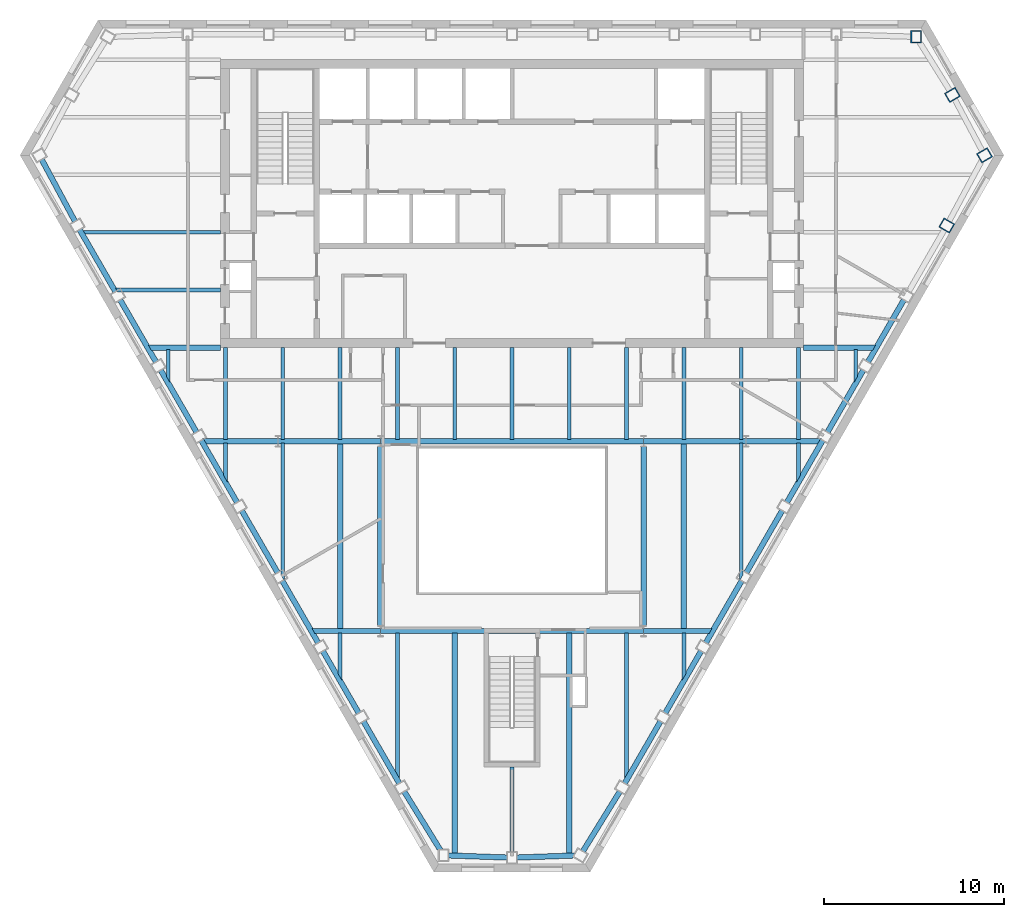
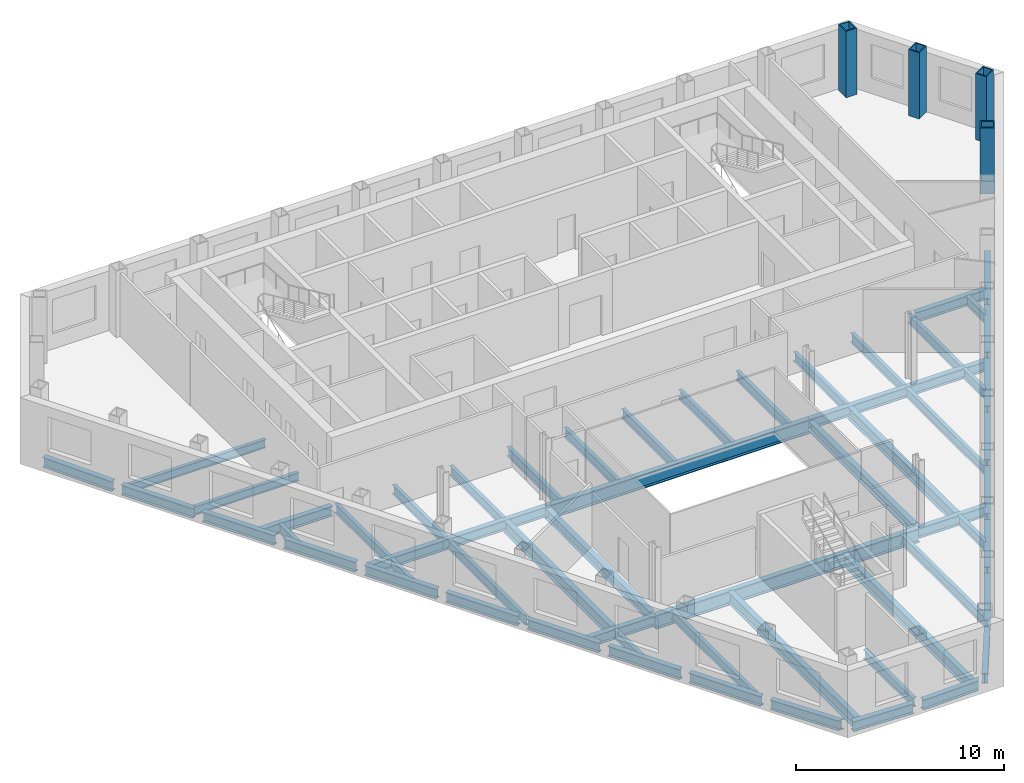
# One storey, part 2 of 10: 60 beams, 4 columns.
"""IFC4 building model written with IfcOpenShell, lengths in metres."""

from ifc_helpers import new_model, si_unit, direction, frame, origin, origin_2d, place, context, subcontext, project, spatial, hollow_rectangle, i_section, extrude, clip, halfspace, material, material_profile, profile_set, type_object, element, save


model = new_model("IFC4")

# Units and contexts
model_context = context("Model", 3, precision=1e-05, world=origin(), true_north=direction((0.0, 1.0)))
body_context = subcontext(model_context, "Body", "Model", "MODEL_VIEW")
ifc_project = project(units=[si_unit("LENGTHUNIT", "METRE"), si_unit("AREAUNIT", "SQUARE_METRE"), si_unit("VOLUMEUNIT", "CUBIC_METRE"), si_unit("PLANEANGLEUNIT", "RADIAN"), si_unit("MASSUNIT", "GRAM", prefix="KILO")], contexts=[model_context])

# Site, building, storey
site_placement = place(None, origin())
site = spatial("IfcSite", under=ifc_project, at=site_placement, CompositionType="ELEMENT")
building_placement = place(site_placement, origin())
building = spatial("IfcBuilding", under=site, at=building_placement, Name="Njiva Tower", CompositionType="ELEMENT")
storey_placement = place(building_placement, frame((0.0, 0.0, 155.4)))
storey = spatial("IfcBuildingStorey", under=building, at=storey_placement, Name="L33", CompositionType="ELEMENT", Elevation=155.4)

# Columns
ifc_material = material(Name="Steel S355 J2", Category="steel")
ifc_material_profile_1 = material_profile(ifc_material, hollow_rectangle(XDim=0.6, YDim=0.7, WallThickness=0.06, at=origin_2d()), Name="BOX 700x600x60")
ifc_profile_set_1 = profile_set([ifc_material_profile_1], Name="Steel S355 J2")
column_type = type_object("IfcColumnType", Name="C9 Perimeter tube column BOX 700x600x60", PredefinedType="COLUMN", material=ifc_profile_set_1)
for number, where, z_axis, x_axis, name in (
    (1, (22.456, 19.267, 0.0), (0.0, 0.0, 1.0), (-1.0, 0.0, 0.0), "Perimeter tube column S11-C01"),
    (2, (24.158, 8.78, 0.0), (0.0, 0.0, 1.0), (0.5, 0.866025403784, 0.0), "Perimeter tube column S11-C34"),
    (3, (26.258, 12.683, 0.0), (0.0, 0.0, 1.0), (-0.5, 0.866025403784, 0.0), "Perimeter tube column S11-C35"),
    (4, (24.472, 16.041, 0.0), (0.0, 0.0, 1.0), (-0.5, 0.866025403784, 0.0), "Perimeter tube column S11-C36"),
):
    element("IfcColumn", number, at=place(storey_placement, frame(where, z_axis=z_axis, x_axis=x_axis)), inside=storey, type_object=column_type, Name=name, PredefinedType="COLUMN", context=body_context, shape_type="SweptSolid", body=[
        extrude(hollow_rectangle(XDim=0.6, YDim=0.7, WallThickness=0.06, at=origin_2d()), origin(), (0.0, 0.0, 1.0), 3.9),
    ])

# Beams
ifc_material_profile_2 = material_profile(ifc_material, i_section(OverallWidth=0.3, OverallDepth=0.69, WebThickness=0.0145, FlangeThickness=0.027, at=origin_2d()), Name="HEA 700")
ifc_profile_set_2 = profile_set([ifc_material_profile_2], Name="Steel S355 J2")
beam_type_1 = type_object("IfcBeamType", Name="B12 Long-span floor joist HEA 700", PredefinedType="JOIST", material=ifc_profile_set_2)
beam_1_placement = place(storey_placement, frame((-9.55, -3.3, -0.545), z_axis=(0.0, -1.0, 0.0), x_axis=(1.0, 0.0, 0.0)))
element("IfcBeam", 5, at=beam_1_placement, inside=storey, type_object=beam_type_1, Name="Long-span floor joist S11-B059", PredefinedType="JOIST", context=body_context, shape_type="SweptSolid", body=[
    extrude(i_section(OverallWidth=0.3, OverallDepth=0.69, WebThickness=0.0145, FlangeThickness=0.027, at=origin_2d()), origin(), (0.0, 0.0, 1.0), 10.35),
])
for number, where, z_axis, x_axis, name in (
    (6, (-3.183, -13.851, -0.545), (0.0, -1.0, 0.0), (1.0, 0.0, 0.0), "Long-span floor joist S11-B063"),
    (7, (3.183, -13.851, -0.545), (0.0, -1.0, 0.0), (1.0, 0.0, 0.0), "Long-span floor joist S11-B068"),
):
    element("IfcBeam", number, at=place(storey_placement, frame(where, z_axis=z_axis, x_axis=x_axis)), inside=storey, type_object=beam_type_1, Name=name, PredefinedType="JOIST", context=body_context, shape_type="SweptSolid", body=[
        extrude(i_section(OverallWidth=0.3, OverallDepth=0.69, WebThickness=0.0145, FlangeThickness=0.027, at=origin_2d()), origin(), (0.0, 0.0, 1.0), 12.28),
    ])
beam_2_placement = place(storey_placement, frame((9.55, -3.3, -0.545), z_axis=(0.0, -1.0, 0.0), x_axis=(1.0, 0.0, 0.0)))
element("IfcBeam", 8, at=beam_2_placement, inside=storey, type_object=beam_type_1, Name="Long-span floor joist S11-B073", PredefinedType="JOIST", context=body_context, shape_type="SweptSolid", body=[
    extrude(i_section(OverallWidth=0.3, OverallDepth=0.69, WebThickness=0.0145, FlangeThickness=0.027, at=origin_2d()), origin(), (0.0, 0.0, 1.0), 10.35),
])
ifc_material_profile_3 = material_profile(ifc_material, i_section(OverallWidth=0.2, OverallDepth=0.5, WebThickness=0.0102, FlangeThickness=0.016, at=origin_2d()), Name="IPE 500")
ifc_profile_set_3 = profile_set([ifc_material_profile_3], Name="Steel S355 J2")
beam_type_2 = type_object("IfcBeamType", Name="B24 Floor beam to the core IPE 500", PredefinedType="BEAM", material=ifc_profile_set_3)
beam_3_placement = place(storey_placement, frame((-22.054, 5.2, -0.45), z_axis=(1.0, 0.0, 0.0), x_axis=(0.0, 1.0, 0.0)))
element("IfcBeam", 9, at=beam_3_placement, inside=storey, type_object=beam_type_2, Name="Floor beam to the core S11-B006", PredefinedType="BEAM", context=body_context, shape_type="Clipping", body=[
    clip(extrude(i_section(OverallWidth=0.2, OverallDepth=0.5, WebThickness=0.0102, FlangeThickness=0.016, at=origin_2d()), origin(), (0.0, 0.0, 1.0), 5.854), halfspace(frame((-0.025, 0.0, 0.0929), z_axis=(-0.499998009787, 0.0, -0.866026552831), x_axis=(0.0, -1.0, 0.0)), False)),
])
beam_4_placement = place(storey_placement, frame((-23.901, 8.4, -0.45), z_axis=(1.0, 0.0, 0.0), x_axis=(0.0, 1.0, 0.0)))
element("IfcBeam", 10, at=beam_4_placement, inside=storey, type_object=beam_type_2, Name="Floor beam to the core S11-B004", PredefinedType="BEAM", context=body_context, shape_type="Clipping", body=[
    clip(extrude(i_section(OverallWidth=0.2, OverallDepth=0.5, WebThickness=0.0102, FlangeThickness=0.016, at=origin_2d()), origin(), (0.0, 0.0, 1.0), 7.701), halfspace(frame((-0.025, 0.0, 0.0924), z_axis=(-0.499998009787, 0.0, -0.866026552831), x_axis=(0.0, -1.0, 0.0)), False)),
])
ifc_material_profile_4 = material_profile(ifc_material, i_section(OverallWidth=0.3, OverallDepth=0.59, WebThickness=0.013, FlangeThickness=0.025, at=origin_2d()), Name="HEA 600")
ifc_profile_set_4 = profile_set([ifc_material_profile_4], Name="Steel S355 J2")
beam_type_3 = type_object("IfcBeamType", Name="B27 Short-span spandrel beam HEA 600", PredefinedType="SPANDREL", material=ifc_profile_set_4)
beam_5_placement = place(storey_placement, frame((-26.137, 12.46, -0.495), z_axis=(0.473719879084, -0.880675579405, 0.0), x_axis=(0.880675579405, 0.473719879084, 0.0)))
element("IfcBeam", 11, at=beam_5_placement, inside=storey, type_object=beam_type_3, Name="Short-span spandrel beam S11-B088", PredefinedType="SPANDREL", context=body_context, shape_type="SweptSolid", body=[
    extrude(i_section(OverallWidth=0.3, OverallDepth=0.59, WebThickness=0.013, FlangeThickness=0.025, at=origin_2d()), origin(), (0.0, 0.0, 1.0), 3.9243),
])
beam_6_placement = place(storey_placement, frame((-24.033, 8.564, -0.495), z_axis=(0.499924104568, -0.866069217599, 0.0), x_axis=(0.866069217599, 0.499924104568, 0.0)))
element("IfcBeam", 12, at=beam_6_placement, inside=storey, type_object=beam_type_3, Name="Short-span spandrel beam S11-B093", PredefinedType="SPANDREL", context=body_context, shape_type="SweptSolid", body=[
    extrude(i_section(OverallWidth=0.3, OverallDepth=0.59, WebThickness=0.013, FlangeThickness=0.025, at=origin_2d()), origin(), (0.0, 0.0, 1.0), 4.0066),
])
beam_7_placement = place(storey_placement, frame((-21.78, 4.661, -0.495), z_axis=(0.500003221507, -0.866023543838, 0.0), x_axis=(0.866023543838, 0.500003221507, 0.0)))
element("IfcBeam", 13, at=beam_7_placement, inside=storey, type_object=beam_type_3, Name="Short-span spandrel beam S11-B097", PredefinedType="SPANDREL", context=body_context, shape_type="SweptSolid", body=[
    extrude(i_section(OverallWidth=0.3, OverallDepth=0.59, WebThickness=0.013, FlangeThickness=0.025, at=origin_2d()), origin(), (0.0, 0.0, 1.0), 4.008),
])
for number, where, z_axis, x_axis, name in (
    (14, (-19.526, 0.757, -0.495), (0.500032187732, -0.866006819391, 0.0), (0.866006819391, 0.500032187732, 0.0), "Short-span spandrel beam S11-B099"),
    (15, (-17.273, -3.145, -0.495), (0.500032187732, -0.866006819391, 0.0), (0.866006819391, 0.500032187732, 0.0), "Short-span spandrel beam S11-B103"),
):
    element("IfcBeam", number, at=place(storey_placement, frame(where, z_axis=z_axis, x_axis=x_axis)), inside=storey, type_object=beam_type_3, Name=name, PredefinedType="SPANDREL", context=body_context, shape_type="SweptSolid", body=[
        extrude(i_section(OverallWidth=0.3, OverallDepth=0.59, WebThickness=0.013, FlangeThickness=0.025, at=origin_2d()), origin(), (0.0, 0.0, 1.0), 4.0057),
    ])
beam_8_placement = place(storey_placement, frame((-15.02, -7.047, -0.495), z_axis=(0.500003221507, -0.866023543838, 0.0), x_axis=(0.866023543838, 0.500003221507, 0.0)))
element("IfcBeam", 16, at=beam_8_placement, inside=storey, type_object=beam_type_3, Name="Short-span spandrel beam S11-B105", PredefinedType="SPANDREL", context=body_context, shape_type="SweptSolid", body=[
    extrude(i_section(OverallWidth=0.3, OverallDepth=0.59, WebThickness=0.013, FlangeThickness=0.025, at=origin_2d()), origin(), (0.0, 0.0, 1.0), 4.008),
])
beam_9_placement = place(storey_placement, frame((-12.766, -10.951, -0.495), z_axis=(0.499924104568, -0.866069217599, 0.0), x_axis=(0.866069217599, 0.499924104568, 0.0)))
element("IfcBeam", 17, at=beam_9_placement, inside=storey, type_object=beam_type_3, Name="Short-span spandrel beam S11-B109", PredefinedType="SPANDREL", context=body_context, shape_type="SweptSolid", body=[
    extrude(i_section(OverallWidth=0.3, OverallDepth=0.59, WebThickness=0.013, FlangeThickness=0.025, at=origin_2d()), origin(), (0.0, 0.0, 1.0), 4.0066),
])
beam_10_placement = place(storey_placement, frame((-10.513, -14.854, -0.495), z_axis=(0.500032187732, -0.866006819391, 0.0), x_axis=(0.866006819391, 0.500032187732, 0.0)))
element("IfcBeam", 18, at=beam_10_placement, inside=storey, type_object=beam_type_3, Name="Short-span spandrel beam S11-B111", PredefinedType="SPANDREL", context=body_context, shape_type="SweptSolid", body=[
    extrude(i_section(OverallWidth=0.3, OverallDepth=0.59, WebThickness=0.013, FlangeThickness=0.025, at=origin_2d()), origin(), (0.0, 0.0, 1.0), 4.0057),
])
beam_11_placement = place(storey_placement, frame((-8.26, -18.756, -0.495), z_axis=(0.500003221507, -0.866023543838, 0.0), x_axis=(0.866023543838, 0.500003221507, 0.0)))
element("IfcBeam", 19, at=beam_11_placement, inside=storey, type_object=beam_type_3, Name="Short-span spandrel beam S11-B115", PredefinedType="SPANDREL", context=body_context, shape_type="SweptSolid", body=[
    extrude(i_section(OverallWidth=0.3, OverallDepth=0.59, WebThickness=0.013, FlangeThickness=0.025, at=origin_2d()), origin(), (0.0, 0.0, 1.0), 4.008),
])
beam_12_placement = place(storey_placement, frame((-5.998, -22.659, -0.495), z_axis=(0.525832416533, -0.850588190444, 0.0), x_axis=(0.850588190444, 0.525832416533, 0.0)))
element("IfcBeam", 20, at=beam_12_placement, inside=storey, type_object=beam_type_3, Name="Short-span spandrel beam S11-B117", PredefinedType="SPANDREL", context=body_context, shape_type="Clipping", body=[
    clip(extrude(i_section(OverallWidth=0.3, OverallDepth=0.59, WebThickness=0.013, FlangeThickness=0.025, at=origin_2d()), origin(), (0.0, 0.0, 1.0), 3.9374), halfspace(frame((-0.0263, 0.0, 3.8082), z_axis=(-0.525832416533, 0.0, 0.850588190444), x_axis=(0.0, 1.0, 0.0)), False)),
])
beam_13_placement = place(storey_placement, frame((-3.547, -26.221, -0.495), z_axis=(0.999380132926, -0.035204401889, 0.0), x_axis=(0.035204401889, 0.999380132926, 0.0)))
element("IfcBeam", 21, at=beam_13_placement, inside=storey, type_object=beam_type_3, Name="Short-span spandrel beam S11-B121", PredefinedType="SPANDREL", context=body_context, shape_type="SweptSolid", body=[
    extrude(i_section(OverallWidth=0.3, OverallDepth=0.59, WebThickness=0.013, FlangeThickness=0.025, at=origin_2d()), origin(), (0.0, 0.0, 1.0), 3.295),
])
beam_14_placement = place(storey_placement, frame((0.254, -26.337, -0.495), z_axis=(0.999385378598, 0.035055171438, 0.0), x_axis=(-0.035055171438, 0.999385378598, 0.0)))
element("IfcBeam", 22, at=beam_14_placement, inside=storey, type_object=beam_type_3, Name="Short-span spandrel beam S11-B122", PredefinedType="SPANDREL", context=body_context, shape_type="Clipping", body=[
    clip(extrude(i_section(OverallWidth=0.3, OverallDepth=0.59, WebThickness=0.013, FlangeThickness=0.025, at=origin_2d()), origin(), (0.0, 0.0, 1.0), 3.309), halfspace(frame((-0.0264, 0.0, 3.1785), z_axis=(-0.530049409589, 0.0, 0.847966758425), x_axis=(0.0, 1.0, 0.0)), False)),
])
beam_15_placement = place(storey_placement, frame((3.935, -25.996, -0.495), z_axis=(0.525845568768, 0.850580059611, 0.0), x_axis=(-0.850580059611, 0.525845568768, 0.0)))
element("IfcBeam", 23, at=beam_15_placement, inside=storey, type_object=beam_type_3, Name="Short-span spandrel beam S11-B126", PredefinedType="SPANDREL", context=body_context, shape_type="SweptSolid", body=[
    extrude(i_section(OverallWidth=0.3, OverallDepth=0.59, WebThickness=0.013, FlangeThickness=0.025, at=origin_2d()), origin(), (0.0, 0.0, 1.0), 3.9232),
])
beam_16_placement = place(storey_placement, frame((6.256, -22.227, -0.495), z_axis=(0.500003221507, 0.866023543838, 0.0), x_axis=(-0.866023543838, 0.500003221507, 0.0)))
element("IfcBeam", 24, at=beam_16_placement, inside=storey, type_object=beam_type_3, Name="Short-span spandrel beam S11-B130", PredefinedType="SPANDREL", context=body_context, shape_type="SweptSolid", body=[
    extrude(i_section(OverallWidth=0.3, OverallDepth=0.59, WebThickness=0.013, FlangeThickness=0.025, at=origin_2d()), origin(), (0.0, 0.0, 1.0), 4.008),
])
beam_17_placement = place(storey_placement, frame((8.51, -18.323, -0.495), z_axis=(0.500032187732, 0.866006819391, 0.0), x_axis=(-0.866006819391, 0.500032187732, 0.0)))
element("IfcBeam", 25, at=beam_17_placement, inside=storey, type_object=beam_type_3, Name="Short-span spandrel beam S11-B132", PredefinedType="SPANDREL", context=body_context, shape_type="SweptSolid", body=[
    extrude(i_section(OverallWidth=0.3, OverallDepth=0.59, WebThickness=0.013, FlangeThickness=0.025, at=origin_2d()), origin(), (0.0, 0.0, 1.0), 4.0057),
])
beam_18_placement = place(storey_placement, frame((10.763, -14.421, -0.495), z_axis=(0.499924104568, 0.866069217599, 0.0), x_axis=(-0.866069217599, 0.499924104568, 0.0)))
element("IfcBeam", 26, at=beam_18_placement, inside=storey, type_object=beam_type_3, Name="Short-span spandrel beam S11-B136", PredefinedType="SPANDREL", context=body_context, shape_type="SweptSolid", body=[
    extrude(i_section(OverallWidth=0.3, OverallDepth=0.59, WebThickness=0.013, FlangeThickness=0.025, at=origin_2d()), origin(), (0.0, 0.0, 1.0), 4.0066),
])
beam_19_placement = place(storey_placement, frame((13.016, -10.518, -0.495), z_axis=(0.500003221507, 0.866023543838, 0.0), x_axis=(-0.866023543838, 0.500003221507, 0.0)))
element("IfcBeam", 27, at=beam_19_placement, inside=storey, type_object=beam_type_3, Name="Short-span spandrel beam S11-B138", PredefinedType="SPANDREL", context=body_context, shape_type="SweptSolid", body=[
    extrude(i_section(OverallWidth=0.3, OverallDepth=0.59, WebThickness=0.013, FlangeThickness=0.025, at=origin_2d()), origin(), (0.0, 0.0, 1.0), 4.008),
])
for number, where, z_axis, x_axis, name in (
    (28, (15.27, -6.614, -0.495), (0.500032187732, 0.866006819391, 0.0), (-0.866006819391, 0.500032187732, 0.0), "Short-span spandrel beam S11-B142"),
    (29, (17.523, -2.712, -0.495), (0.500032187732, 0.866006819391, 0.0), (-0.866006819391, 0.500032187732, 0.0), "Short-span spandrel beam S11-B144"),
):
    element("IfcBeam", number, at=place(storey_placement, frame(where, z_axis=z_axis, x_axis=x_axis)), inside=storey, type_object=beam_type_3, Name=name, PredefinedType="SPANDREL", context=body_context, shape_type="SweptSolid", body=[
        extrude(i_section(OverallWidth=0.3, OverallDepth=0.59, WebThickness=0.013, FlangeThickness=0.025, at=origin_2d()), origin(), (0.0, 0.0, 1.0), 4.0057),
    ])
beam_20_placement = place(storey_placement, frame((19.776, 1.19, -0.495), z_axis=(0.500003221507, 0.866023543838, 0.0), x_axis=(-0.866023543838, 0.500003221507, 0.0)))
element("IfcBeam", 30, at=beam_20_placement, inside=storey, type_object=beam_type_3, Name="Short-span spandrel beam S11-B148", PredefinedType="SPANDREL", context=body_context, shape_type="SweptSolid", body=[
    extrude(i_section(OverallWidth=0.3, OverallDepth=0.59, WebThickness=0.013, FlangeThickness=0.025, at=origin_2d()), origin(), (0.0, 0.0, 1.0), 4.008),
])
ifc_material_profile_5 = material_profile(ifc_material, i_section(OverallWidth=0.3, OverallDepth=0.59, WebThickness=0.013, FlangeThickness=0.025, at=origin_2d()), Name="HEA 600")
ifc_profile_set_5 = profile_set([ifc_material_profile_5], Name="Steel S355 J2")
beam_type_4 = type_object("IfcBeamType", Name="B28 Floor girder HEA 600", PredefinedType="BEAM", material=ifc_profile_set_5)
for number, where, z_axis, x_axis, name in (
    (31, (-13.0, -3.2, -0.495), (1.0, 0.0, 0.0), (0.0, 1.0, 0.0), "Floor girder S11-B016"),
    (32, (7.32, -3.2, -0.495), (1.0, 0.0, 0.0), (0.0, 1.0, 0.0), "Floor girder S11-B019"),
):
    element("IfcBeam", number, at=place(storey_placement, frame(where, z_axis=z_axis, x_axis=x_axis)), inside=storey, type_object=beam_type_4, Name=name, PredefinedType="BEAM", context=body_context, shape_type="SweptSolid", body=[
        extrude(i_section(OverallWidth=0.3, OverallDepth=0.59, WebThickness=0.013, FlangeThickness=0.025, at=origin_2d()), origin(), (0.0, 0.0, 1.0), 5.68),
    ])
ifc_material_profile_6 = material_profile(ifc_material, i_section(OverallWidth=0.3, OverallDepth=0.59, WebThickness=0.013, FlangeThickness=0.025, at=origin_2d()), Name="HEA 600")
ifc_profile_set_6 = profile_set([ifc_material_profile_6], Name="Steel S355 J2")
beam_type_5 = type_object("IfcBeamType", Name="B29 Short-span floor girder HEA 600", PredefinedType="BEAM", material=ifc_profile_set_6)
beam_21_placement = place(storey_placement, frame((-17.233, -3.2, -0.495), z_axis=(1.0, 0.0, 0.0), x_axis=(0.0, 1.0, 0.0)))
element("IfcBeam", 33, at=beam_21_placement, inside=storey, type_object=beam_type_5, Name="Short-span floor girder S11-B015", PredefinedType="BEAM", context=body_context, shape_type="Clipping", body=[
    clip(extrude(i_section(OverallWidth=0.3, OverallDepth=0.59, WebThickness=0.013, FlangeThickness=0.025, at=origin_2d()), origin(), (0.0, 0.0, 1.0), 4.233), halfspace(frame((-0.025, 0.0, 0.1217), z_axis=(-0.499998009787, 0.0, -0.866026552831), x_axis=(0.0, -1.0, 0.0)), False)),
])
beam_22_placement = place(storey_placement, frame((13.0, -3.2, -0.495), z_axis=(1.0, 0.0, 0.0), x_axis=(0.0, 1.0, 0.0)))
element("IfcBeam", 34, at=beam_22_placement, inside=storey, type_object=beam_type_5, Name="Short-span floor girder S11-B020", PredefinedType="BEAM", context=body_context, shape_type="Clipping", body=[
    clip(extrude(i_section(OverallWidth=0.3, OverallDepth=0.59, WebThickness=0.013, FlangeThickness=0.025, at=origin_2d()), origin(), (0.0, 0.0, 1.0), 4.233), halfspace(frame((-0.025, 0.0, 4.1113), z_axis=(-0.499998009787, 0.0, 0.866026552831), x_axis=(0.0, 1.0, 0.0)), False)),
])
beam_23_placement = place(storey_placement, frame((-11.142, -13.75, -0.495), z_axis=(1.0, 0.0, 0.0), x_axis=(0.0, 1.0, 0.0)))
element("IfcBeam", 35, at=beam_23_placement, inside=storey, type_object=beam_type_5, Name="Short-span floor girder S11-B017", PredefinedType="BEAM", context=body_context, shape_type="Clipping", body=[
    clip(extrude(i_section(OverallWidth=0.3, OverallDepth=0.59, WebThickness=0.013, FlangeThickness=0.025, at=origin_2d()), origin(), (0.0, 0.0, 1.0), 3.822), halfspace(frame((-0.025, 0.0, 0.1217), z_axis=(-0.499998009787, 0.0, -0.866026552831), x_axis=(0.0, -1.0, 0.0)), False)),
])
beam_24_placement = place(storey_placement, frame((7.32, -13.75, -0.495), z_axis=(1.0, 0.0, 0.0), x_axis=(0.0, 1.0, 0.0)))
element("IfcBeam", 36, at=beam_24_placement, inside=storey, type_object=beam_type_5, Name="Short-span floor girder S11-B018", PredefinedType="BEAM", context=body_context, shape_type="Clipping", body=[
    clip(extrude(i_section(OverallWidth=0.3, OverallDepth=0.59, WebThickness=0.013, FlangeThickness=0.025, at=origin_2d()), origin(), (0.0, 0.0, 1.0), 3.822), halfspace(frame((-0.025, 0.0, 3.7003), z_axis=(-0.499998009787, 0.0, 0.866026552831), x_axis=(0.0, 1.0, 0.0)), False)),
])
beam_25_placement = place(storey_placement, frame((-20.235, 2.0, -0.495), z_axis=(1.0, 0.0, 0.0), x_axis=(0.0, 1.0, 0.0)))
element("IfcBeam", 37, at=beam_25_placement, inside=storey, type_object=beam_type_5, Name="Short-span floor girder S11-B013", PredefinedType="BEAM", context=body_context, shape_type="Clipping", body=[
    clip(extrude(i_section(OverallWidth=0.3, OverallDepth=0.59, WebThickness=0.013, FlangeThickness=0.025, at=origin_2d()), origin(), (0.0, 0.0, 1.0), 4.035), halfspace(frame((-0.025, 0.0, 0.1214), z_axis=(-0.499998009787, 0.0, -0.866026552831), x_axis=(0.0, -1.0, 0.0)), False)),
])
beam_26_placement = place(storey_placement, frame((16.2, 2.0, -0.495), z_axis=(1.0, 0.0, 0.0), x_axis=(0.0, 1.0, 0.0)))
element("IfcBeam", 38, at=beam_26_placement, inside=storey, type_object=beam_type_5, Name="Short-span floor girder S11-B022", PredefinedType="BEAM", context=body_context, shape_type="Clipping", body=[
    clip(extrude(i_section(OverallWidth=0.3, OverallDepth=0.59, WebThickness=0.013, FlangeThickness=0.025, at=origin_2d()), origin(), (0.0, 0.0, 1.0), 4.035), halfspace(frame((-0.025, 0.0, 3.9136), z_axis=(-0.499998009787, 0.0, 0.866026552831), x_axis=(0.0, 1.0, 0.0)), False)),
])
ifc_material_profile_7 = material_profile(ifc_material, i_section(OverallWidth=0.3, OverallDepth=0.59, WebThickness=0.013, FlangeThickness=0.025, at=origin_2d()), Name="HEA 600")
ifc_profile_set_7 = profile_set([ifc_material_profile_7], Name="Steel S355 J2")
beam_type_6 = type_object("IfcBeamType", Name="B30 Long-span atrium trimmer beam HEA 600", PredefinedType="BEAM", material=ifc_profile_set_7)
for number, where, z_axis, x_axis, name in (
    (39, (7.32, -13.49, -0.495), (0.0, 1.0, 0.0), (-1.0, 0.0, 0.0), "Long-span atrium trimmer beam S11-B086"),
    (40, (-7.32, -3.46, -0.495), (0.0, -1.0, 0.0), (1.0, 0.0, 0.0), "Long-span atrium trimmer beam S11-B083"),
):
    element("IfcBeam", number, at=place(storey_placement, frame(where, z_axis=z_axis, x_axis=x_axis)), inside=storey, type_object=beam_type_6, Name=name, PredefinedType="BEAM", context=body_context, shape_type="SweptSolid", body=[
        extrude(i_section(OverallWidth=0.3, OverallDepth=0.59, WebThickness=0.013, FlangeThickness=0.025, at=origin_2d()), origin(), (0.0, 0.0, 1.0), 10.03),
    ])
ifc_material_profile_8 = material_profile(ifc_material, i_section(OverallWidth=0.21, OverallDepth=0.55, WebThickness=0.0111, FlangeThickness=0.0172, at=origin_2d()), Name="IPE 550")
ifc_profile_set_8 = profile_set([ifc_material_profile_8], Name="Steel S355 J2")
beam_type_7 = type_object("IfcBeamType", Name="B31 Short-span floor joist IPE 550", PredefinedType="JOIST", material=ifc_profile_set_8)
beam_27_placement = place(storey_placement, frame((-19.1, 1.9, -0.475), z_axis=(0.0, -1.0, 0.0), x_axis=(1.0, 0.0, 0.0)))
element("IfcBeam", 41, at=beam_27_placement, inside=storey, type_object=beam_type_7, Name="Short-span floor joist S11-B052", PredefinedType="JOIST", context=body_context, shape_type="Clipping", body=[
    clip(extrude(i_section(OverallWidth=0.21, OverallDepth=0.55, WebThickness=0.0111, FlangeThickness=0.0172, at=origin_2d()), origin(), (0.0, 0.0, 1.0), 1.883), halfspace(frame((-0.0433, 0.0, 1.6055), z_axis=(-0.866026552831, 0.0, 0.499998009787), x_axis=(0.0, 1.0, 0.0)), False)),
])
beam_28_placement = place(storey_placement, frame((-15.917, -3.3, -0.475), z_axis=(0.0, -1.0, 0.0), x_axis=(1.0, 0.0, 0.0)))
element("IfcBeam", 42, at=beam_28_placement, inside=storey, type_object=beam_type_7, Name="Short-span floor joist S11-B053", PredefinedType="JOIST", context=body_context, shape_type="Clipping", body=[
    clip(extrude(i_section(OverallWidth=0.21, OverallDepth=0.55, WebThickness=0.0111, FlangeThickness=0.0172, at=origin_2d()), origin(), (0.0, 0.0, 1.0), 2.196), halfspace(frame((-0.043, 0.0, 1.9192), z_axis=(-0.866026552831, 0.0, 0.499998009787), x_axis=(0.0, 1.0, 0.0)), False)),
])
beam_29_placement = place(storey_placement, frame((-9.55, -13.85, -0.475), z_axis=(0.0, -1.0, 0.0), x_axis=(1.0, 0.0, 0.0)))
element("IfcBeam", 43, at=beam_29_placement, inside=storey, type_object=beam_type_7, Name="Short-span floor joist S11-B058", PredefinedType="JOIST", context=body_context, shape_type="Clipping", body=[
    clip(extrude(i_section(OverallWidth=0.21, OverallDepth=0.55, WebThickness=0.0111, FlangeThickness=0.0172, at=origin_2d()), origin(), (0.0, 0.0, 1.0), 2.674), halfspace(frame((-0.0433, 0.0, 2.3966), z_axis=(-0.866026552831, 0.0, 0.499998009787), x_axis=(0.0, 1.0, 0.0)), False)),
])
beam_30_placement = place(storey_placement, frame((9.55, -13.85, -0.475), z_axis=(0.0, -1.0, 0.0), x_axis=(1.0, 0.0, 0.0)))
element("IfcBeam", 44, at=beam_30_placement, inside=storey, type_object=beam_type_7, Name="Short-span floor joist S11-B072", PredefinedType="JOIST", context=body_context, shape_type="Clipping", body=[
    clip(extrude(i_section(OverallWidth=0.21, OverallDepth=0.55, WebThickness=0.0111, FlangeThickness=0.0172, at=origin_2d()), origin(), (0.0, 0.0, 1.0), 2.674), halfspace(frame((0.0433, 0.0, 2.3966), z_axis=(0.866026552831, 0.0, 0.499998009787), x_axis=(0.0, 1.0, 0.0)), False)),
])
beam_31_placement = place(storey_placement, frame((15.917, -3.3, -0.475), z_axis=(0.0, -1.0, 0.0), x_axis=(1.0, 0.0, 0.0)))
element("IfcBeam", 45, at=beam_31_placement, inside=storey, type_object=beam_type_7, Name="Short-span floor joist S11-B078", PredefinedType="JOIST", context=body_context, shape_type="Clipping", body=[
    clip(extrude(i_section(OverallWidth=0.21, OverallDepth=0.55, WebThickness=0.0111, FlangeThickness=0.0172, at=origin_2d()), origin(), (0.0, 0.0, 1.0), 2.196), halfspace(frame((0.043, 0.0, 1.9192), z_axis=(0.866026552831, 0.0, 0.499998009787), x_axis=(0.0, 1.0, 0.0)), False)),
])
beam_32_placement = place(storey_placement, frame((19.1, 1.9, -0.475), z_axis=(0.0, -1.0, 0.0), x_axis=(1.0, 0.0, 0.0)))
element("IfcBeam", 46, at=beam_32_placement, inside=storey, type_object=beam_type_7, Name="Short-span floor joist S11-B080", PredefinedType="JOIST", context=body_context, shape_type="Clipping", body=[
    clip(extrude(i_section(OverallWidth=0.21, OverallDepth=0.55, WebThickness=0.0111, FlangeThickness=0.0172, at=origin_2d()), origin(), (0.0, 0.0, 1.0), 1.883), halfspace(frame((0.0433, 0.0, 1.6055), z_axis=(0.866026552831, 0.0, 0.499998009787), x_axis=(0.0, 1.0, 0.0)), False)),
])
ifc_material_profile_9 = material_profile(ifc_material, i_section(OverallWidth=0.21, OverallDepth=0.55, WebThickness=0.0111, FlangeThickness=0.0172, at=origin_2d()), Name="IPE 550")
ifc_profile_set_9 = profile_set([ifc_material_profile_9], Name="Steel S355 J2")
beam_type_8 = type_object("IfcBeamType", Name="B32 Floor joist IPE 550", PredefinedType="JOIST", material=ifc_profile_set_9)
for number, where, z_axis, x_axis, name in (
    (47, (-15.917, 1.995, -0.475), (0.0, -1.0, 0.0), (1.0, 0.0, 0.0), "Floor joist S11-B054"),
    (48, (-12.733, 1.995, -0.475), (0.0, -1.0, 0.0), (1.0, 0.0, 0.0), "Floor joist S11-B057"),
):
    element("IfcBeam", number, at=place(storey_placement, frame(where, z_axis=z_axis, x_axis=x_axis)), inside=storey, type_object=beam_type_8, Name=name, PredefinedType="JOIST", context=body_context, shape_type="SweptSolid", body=[
        extrude(i_section(OverallWidth=0.21, OverallDepth=0.55, WebThickness=0.0111, FlangeThickness=0.0172, at=origin_2d()), origin(), (0.0, 0.0, 1.0), 5.095),
    ])
beam_33_placement = place(storey_placement, frame((-12.733, -3.3, -0.475), z_axis=(0.0, -1.0, 0.0), x_axis=(1.0, 0.0, 0.0)))
element("IfcBeam", 49, at=beam_33_placement, inside=storey, type_object=beam_type_8, Name="Floor joist S11-B056", PredefinedType="JOIST", context=body_context, shape_type="Clipping", body=[
    clip(extrude(i_section(OverallWidth=0.21, OverallDepth=0.55, WebThickness=0.0111, FlangeThickness=0.0172, at=origin_2d()), origin(), (0.0, 0.0, 1.0), 7.71), halfspace(frame((-0.0436, 0.0, 7.4329), z_axis=(-0.866026552831, 0.0, 0.499998009787), x_axis=(0.0, 1.0, 0.0)), False)),
])
beam_34_placement = place(storey_placement, frame((-9.55, 1.995, -0.475), z_axis=(0.0, -1.0, 0.0), x_axis=(1.0, 0.0, 0.0)))
element("IfcBeam", 50, at=beam_34_placement, inside=storey, type_object=beam_type_8, Name="Floor joist S11-B060", PredefinedType="JOIST", context=body_context, shape_type="SweptSolid", body=[
    extrude(i_section(OverallWidth=0.21, OverallDepth=0.55, WebThickness=0.0111, FlangeThickness=0.0172, at=origin_2d()), origin(), (0.0, 0.0, 1.0), 5.095),
])
beam_35_placement = place(storey_placement, frame((-6.367, 1.995, -0.475), z_axis=(0.0, -1.0, 0.0), x_axis=(1.0, 0.0, 0.0)))
element("IfcBeam", 51, at=beam_35_placement, inside=storey, type_object=beam_type_8, Name="Floor joist S11-B062", PredefinedType="JOIST", context=body_context, shape_type="SweptSolid", body=[
    extrude(i_section(OverallWidth=0.21, OverallDepth=0.55, WebThickness=0.0111, FlangeThickness=0.0172, at=origin_2d()), origin(), (0.0, 0.0, 1.0), 5.094),
])
beam_36_placement = place(storey_placement, frame((-6.367, -13.851, -0.475), z_axis=(0.0, -1.0, 0.0), x_axis=(1.0, 0.0, 0.0)))
element("IfcBeam", 52, at=beam_36_placement, inside=storey, type_object=beam_type_8, Name="Floor joist S11-B061", PredefinedType="JOIST", context=body_context, shape_type="Clipping", body=[
    clip(extrude(i_section(OverallWidth=0.21, OverallDepth=0.55, WebThickness=0.0111, FlangeThickness=0.0172, at=origin_2d()), origin(), (0.0, 0.0, 1.0), 8.186), halfspace(frame((-0.043, 0.0, 7.9093), z_axis=(-0.866026552831, 0.0, 0.499998009787), x_axis=(0.0, 1.0, 0.0)), False)),
])
for number, where, z_axis, x_axis, name in (
    (53, (-3.183, 1.995, -0.475), (0.0, -1.0, 0.0), (1.0, 0.0, 0.0), "Floor joist S11-B064"),
    (54, (0.0, 1.995, -0.475), (0.0, -1.0, 0.0), (1.0, 0.0, 0.0), "Floor joist S11-B067"),
):
    element("IfcBeam", number, at=place(storey_placement, frame(where, z_axis=z_axis, x_axis=x_axis)), inside=storey, type_object=beam_type_8, Name=name, PredefinedType="JOIST", context=body_context, shape_type="SweptSolid", body=[
        extrude(i_section(OverallWidth=0.21, OverallDepth=0.55, WebThickness=0.0111, FlangeThickness=0.0172, at=origin_2d()), origin(), (0.0, 0.0, 1.0), 5.094),
    ])
beam_37_placement = place(storey_placement, frame((0.0, -21.3, -0.475), z_axis=(0.0, -1.0, 0.0), x_axis=(1.0, 0.0, 0.0)))
element("IfcBeam", 55, at=beam_37_placement, inside=storey, type_object=beam_type_8, Name="Floor joist S11-B066", PredefinedType="JOIST", context=body_context, shape_type="SweptSolid", body=[
    extrude(i_section(OverallWidth=0.21, OverallDepth=0.55, WebThickness=0.0111, FlangeThickness=0.0172, at=origin_2d()), origin(), (0.0, 0.0, 1.0), 4.746),
])
for number, where, z_axis, x_axis, name in (
    (56, (3.183, 1.995, -0.475), (0.0, -1.0, 0.0), (1.0, 0.0, 0.0), "Floor joist S11-B069"),
    (57, (6.367, 1.995, -0.475), (0.0, -1.0, 0.0), (1.0, 0.0, 0.0), "Floor joist S11-B071"),
):
    element("IfcBeam", number, at=place(storey_placement, frame(where, z_axis=z_axis, x_axis=x_axis)), inside=storey, type_object=beam_type_8, Name=name, PredefinedType="JOIST", context=body_context, shape_type="SweptSolid", body=[
        extrude(i_section(OverallWidth=0.21, OverallDepth=0.55, WebThickness=0.0111, FlangeThickness=0.0172, at=origin_2d()), origin(), (0.0, 0.0, 1.0), 5.094),
    ])
beam_38_placement = place(storey_placement, frame((6.367, -13.851, -0.475), z_axis=(0.0, -1.0, 0.0), x_axis=(1.0, 0.0, 0.0)))
element("IfcBeam", 58, at=beam_38_placement, inside=storey, type_object=beam_type_8, Name="Floor joist S11-B070", PredefinedType="JOIST", context=body_context, shape_type="Clipping", body=[
    clip(extrude(i_section(OverallWidth=0.21, OverallDepth=0.55, WebThickness=0.0111, FlangeThickness=0.0172, at=origin_2d()), origin(), (0.0, 0.0, 1.0), 8.186), halfspace(frame((0.043, 0.0, 7.9093), z_axis=(0.866026552831, 0.0, 0.499998009787), x_axis=(0.0, 1.0, 0.0)), False)),
])
for number, where, z_axis, x_axis, name in (
    (59, (9.55, 1.995, -0.475), (0.0, -1.0, 0.0), (1.0, 0.0, 0.0), "Floor joist S11-B074"),
    (60, (12.733, 1.995, -0.475), (0.0, -1.0, 0.0), (1.0, 0.0, 0.0), "Floor joist S11-B077"),
):
    element("IfcBeam", number, at=place(storey_placement, frame(where, z_axis=z_axis, x_axis=x_axis)), inside=storey, type_object=beam_type_8, Name=name, PredefinedType="JOIST", context=body_context, shape_type="SweptSolid", body=[
        extrude(i_section(OverallWidth=0.21, OverallDepth=0.55, WebThickness=0.0111, FlangeThickness=0.0172, at=origin_2d()), origin(), (0.0, 0.0, 1.0), 5.095),
    ])
beam_39_placement = place(storey_placement, frame((12.733, -3.3, -0.475), z_axis=(0.0, -1.0, 0.0), x_axis=(1.0, 0.0, 0.0)))
element("IfcBeam", 61, at=beam_39_placement, inside=storey, type_object=beam_type_8, Name="Floor joist S11-B076", PredefinedType="JOIST", context=body_context, shape_type="Clipping", body=[
    clip(extrude(i_section(OverallWidth=0.21, OverallDepth=0.55, WebThickness=0.0111, FlangeThickness=0.0172, at=origin_2d()), origin(), (0.0, 0.0, 1.0), 7.71), halfspace(frame((0.0436, 0.0, 7.4329), z_axis=(0.866026552831, 0.0, 0.499998009787), x_axis=(0.0, 1.0, 0.0)), False)),
])
beam_40_placement = place(storey_placement, frame((15.917, 1.995, -0.475), z_axis=(0.0, -1.0, 0.0), x_axis=(1.0, 0.0, 0.0)))
element("IfcBeam", 62, at=beam_40_placement, inside=storey, type_object=beam_type_8, Name="Floor joist S11-B079", PredefinedType="JOIST", context=body_context, shape_type="SweptSolid", body=[
    extrude(i_section(OverallWidth=0.21, OverallDepth=0.55, WebThickness=0.0111, FlangeThickness=0.0172, at=origin_2d()), origin(), (0.0, 0.0, 1.0), 5.095),
])
ifc_material_profile_10 = material_profile(ifc_material, i_section(OverallWidth=0.303, OverallDepth=0.814, WebThickness=0.021, FlangeThickness=0.04, at=origin_2d()), Name="HEM 800")
ifc_profile_set_10 = profile_set([ifc_material_profile_10], Name="Steel S355 J2")
beam_type_9 = type_object("IfcBeamType", Name="B36 Long-span atrium trimmer beam HEM 800", PredefinedType="BEAM", material=ifc_profile_set_10)
for number, where, z_axis, x_axis, name in (
    (63, (-7.32, -13.75, -0.607), (1.0, 0.0, 0.0), (0.0, 1.0, 0.0), "Long-span atrium trimmer beam S11-B082"),
    (64, (7.32, -3.2, -0.607), (-1.0, 0.0, 0.0), (0.0, -1.0, 0.0), "Long-span atrium trimmer beam S11-B084"),
):
    element("IfcBeam", number, at=place(storey_placement, frame(where, z_axis=z_axis, x_axis=x_axis)), inside=storey, type_object=beam_type_9, Name=name, PredefinedType="BEAM", context=body_context, shape_type="SweptSolid", body=[
        extrude(i_section(OverallWidth=0.303, OverallDepth=0.814, WebThickness=0.021, FlangeThickness=0.04, at=origin_2d()), origin(), (0.0, 0.0, 1.0), 14.64),
    ])

save(model, "model.ifc")
